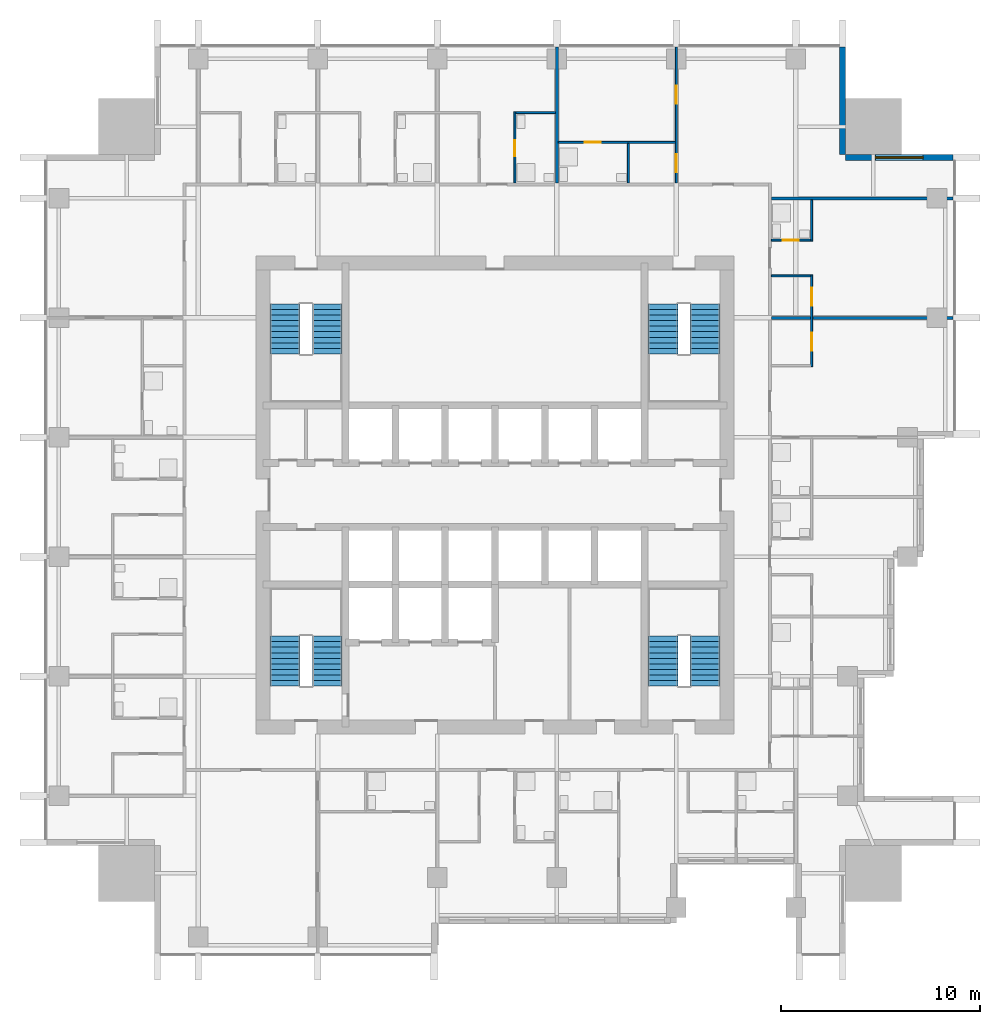
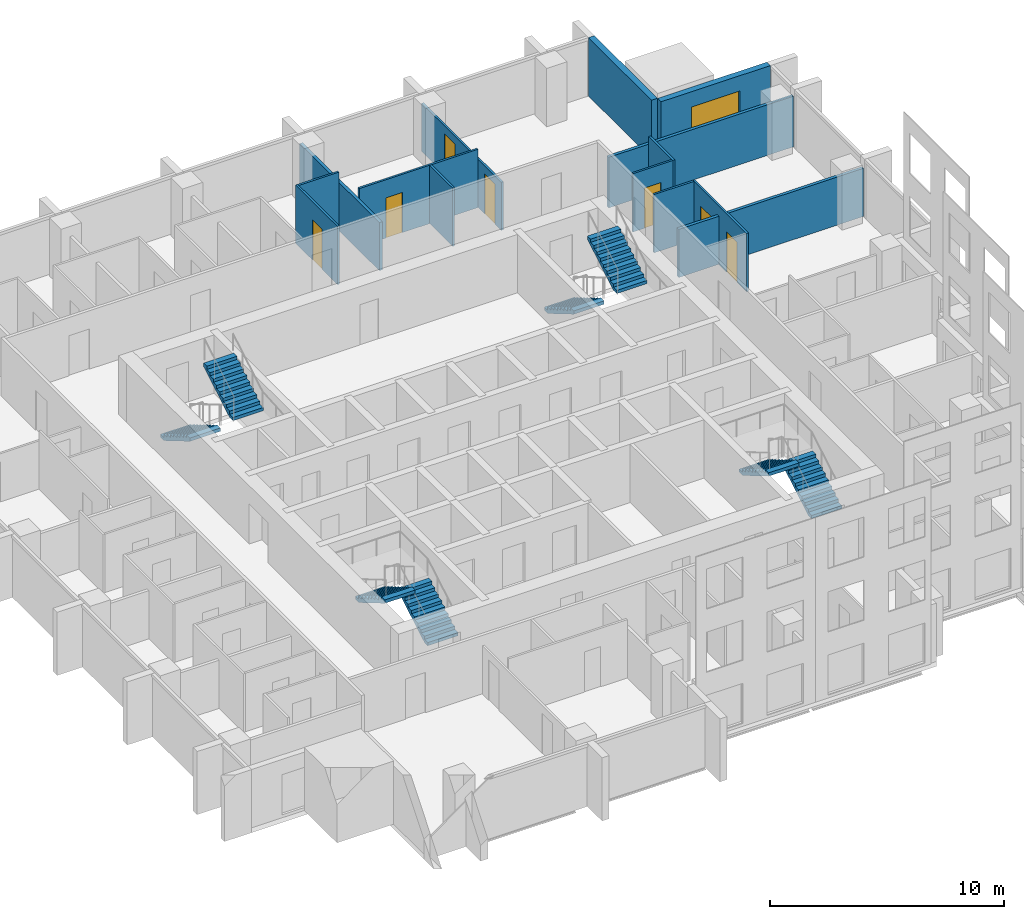
# One storey, part 8 of 11: 14 walls, 8 stair flights, 7 doors, 1 window, 8 openings, 4 elements without a shape of their own.
"""IFC4 building model written with IfcOpenShell, lengths in metres."""

from ifc_helpers import new_model, si_unit, direction, frame, frame_2d, origin, place, context, subcontext, project, spatial, polyline, rectangle, outline, extrude, material, layer, layer_set, type_object, element, fill, aggregate, save


model = new_model("IFC4")

# Units and contexts
model_context = context("Model", 3, precision=1e-05, world=origin(), true_north=direction((0.0, 1.0)))
body_context = subcontext(model_context, "Body", "Model", "MODEL_VIEW")
ifc_project = project(units=[si_unit("LENGTHUNIT", "METRE"), si_unit("AREAUNIT", "SQUARE_METRE"), si_unit("VOLUMEUNIT", "CUBIC_METRE"), si_unit("PLANEANGLEUNIT", "RADIAN"), si_unit("MASSUNIT", "GRAM", prefix="KILO")], contexts=[model_context])

# Site, building, storey
site_placement = place(None, origin())
site = spatial("IfcSite", under=ifc_project, at=site_placement, CompositionType="ELEMENT")
building_placement = place(site_placement, origin())
building = spatial("IfcBuilding", under=site, at=building_placement, Name="Amberfall Residences", CompositionType="ELEMENT")
storey_placement = place(building_placement, frame((0.0, 0.0, 154.89990234375)))
storey = spatial("IfcBuildingStorey", under=building, at=storey_placement, Name="L41", CompositionType="ELEMENT", Elevation=154.89990234375)

# Wall, opening, window
ifc_material_1 = material(Name="Pale stone cladding on insulated backing", Category="masonry")
ifc_layer_1 = layer(ifc_material_1, 0.300048828125)
ifc_layer_set_1 = layer_set([ifc_layer_1], Name="Bronze clad wall 300")
wall_type_1 = type_object("IfcWallType", Name="Bronze clad wall 300", PredefinedType="SOLIDWALL", material=ifc_layer_set_1)
wall_1_placement = place(storey_placement, frame((97.5, 62.449951171875, 0.0), z_axis=(0.0, 0.0, 1.0), x_axis=(-1.0, 0.0, 0.0)))
wall_1 = element("IfcWall", 1, at=wall_1_placement, inside=storey, type_object=wall_type_1, Name="External wall L41 NE", PredefinedType="SOLIDWALL", context=body_context, shape_type="SweptSolid", body=[
    extrude(rectangle(XDim=5.39990234375, YDim=0.300048828125, at=frame_2d((2.699951171875, 0.0))), origin(), (0.0, 0.0, 1.0), 3.050048828125),
])
opening_1_placement = place(wall_1_placement, frame((1.5, 0.0, 0.14990234375)))
opening_1 = element("IfcOpeningElement", 2, at=opening_1_placement, cuts=wall_1, Name="Opening WN5", PredefinedType="OPENING", context=body_context, shape_type="SweptSolid", body=[
    extrude(rectangle(XDim=2.39990234375, YDim=2.10009765625, at=frame_2d((1.199951171875, 1.050048828125))), frame((0.0, 0.159912109375, 0.0), z_axis=(0.0, -1.0, 0.0), x_axis=(1.0, 0.0, 0.0)), (0.0, 0.0, 1.0), 0.320068359375),
])
ifc_material_2 = material(Name="Bronze aluminium framed glazing", Category="aluminium")
window_type = type_object("IfcWindowType", Name="Glazed opening 2400 x 2100 bronze", PartitioningType="DOUBLE_PANEL_VERTICAL", PredefinedType="WINDOW", material=ifc_material_2)
window_placement = place(opening_1_placement, origin())
window = element("IfcWindow", 3, at=window_placement, inside=storey, type_object=window_type, Name="Window L41 NE", OverallHeight=2.10009765625, OverallWidth=2.39990234375, PartitioningType="DOUBLE_PANEL_VERTICAL", PredefinedType="WINDOW", context=body_context, shape_type="SweptSolid", body=[
    extrude(rectangle(XDim=2.39990234375, YDim=2.10009765625, at=frame_2d((1.199951171875, 1.050048828125))), frame((0.0, 0.030029296875, 0.0), z_axis=(0.0, -1.0, 0.0), x_axis=(1.0, 0.0, 0.0)), (0.0, 0.0, 1.0), 0.06005859375),
])
fill(opening_1, window)

# Wall
wall_2_placement = place(storey_placement, frame((91.949951171875, 62.60009765625, 0.0), z_axis=(0.0, 0.0, 1.0), x_axis=(0.0, 1.0, 0.0)))
element("IfcWall", 4, at=wall_2_placement, inside=storey, type_object=wall_type_1, Name="External wall L41 NE", PredefinedType="SOLIDWALL", context=body_context, shape_type="SweptSolid", body=[
    extrude(rectangle(XDim=5.39990234375, YDim=0.300048828125, at=frame_2d((2.699951171875, 0.0))), origin(), (0.0, 0.0, 1.0), 3.050048828125),
])

# Wall, opening, door
ifc_material_3 = material(Name="Gypsum board on metal stud")
ifc_layer_2 = layer(ifc_material_3, 0.10009765625)
ifc_layer_set_2 = layer_set([ifc_layer_2], Name="Flat partition 100")
wall_type_2 = type_object("IfcWallType", Name="Flat partition 100", PredefinedType="PARTITIONING", material=ifc_layer_set_2)
wall_3_placement = place(storey_placement, frame((75.5, 64.75, 0.0), z_axis=(0.0, 0.0, 1.0), x_axis=(0.0, -1.0, 0.0)))
wall_3 = element("IfcWall", 5, at=wall_3_placement, inside=storey, type_object=wall_type_2, Name="Partition 015", PredefinedType="PARTITIONING", context=body_context, shape_type="SweptSolid", body=[
    extrude(rectangle(XDim=3.574951171875, YDim=0.10009765625, at=frame_2d((1.78759765625, 0.0))), origin(), (0.0, 0.0, 1.0), 3.050048828125),
])
opening_2_placement = place(wall_3_placement, frame((1.449951171875, 0.0, 0.0)))
opening_2 = element("IfcOpeningElement", 6, at=opening_2_placement, cuts=wall_3, Name="Opening D42", PredefinedType="OPENING", context=body_context, shape_type="SweptSolid", body=[
    extrude(rectangle(XDim=0.800048828125, YDim=2.10009765625, at=frame_2d((0.39990234375, 1.050048828125))), frame((0.0, 0.06005859375, 0.0), z_axis=(0.0, -1.0, 0.0), x_axis=(1.0, 0.0, 0.0)), (0.0, 0.0, 1.0), 0.1201171875),
])
ifc_material_4 = material(Name="Timber", Category="wood")
door_type_1 = type_object("IfcDoorType", Name="Bathroom door 800 x 2100", OperationType="SINGLE_SWING_LEFT", PredefinedType="DOOR", material=ifc_material_4)
door_1_placement = place(opening_2_placement, origin())
door_1 = element("IfcDoor", 7, at=door_1_placement, inside=storey, type_object=door_type_1, Name="Door 4110 bath1", OperationType="SINGLE_SWING_LEFT", OverallHeight=2.10009765625, OverallWidth=0.800048828125, PredefinedType="DOOR", context=body_context, shape_type="SweptSolid", body=[
    extrude(rectangle(XDim=0.800048828125, YDim=2.10009765625, at=frame_2d((0.39990234375, 1.050048828125))), frame((0.0, 0.02490234375, 0.0), z_axis=(0.0, -1.0, 0.0), x_axis=(1.0, 0.0, 0.0)), (0.0, 0.0, 1.0), 0.050048828125),
])
fill(opening_2, door_1)

# Wall
wall_4_placement = place(storey_placement, frame((81.199951171875, 61.175048828125, 0.0), z_axis=(0.0, 0.0, 1.0), x_axis=(0.0, 1.0, 0.0)))
element("IfcWall", 8, at=wall_4_placement, inside=storey, type_object=wall_type_2, Name="Partition 017", PredefinedType="PARTITIONING", context=body_context, shape_type="SweptSolid", body=[
    extrude(rectangle(XDim=1.974853515625, YDim=0.10009765625, at=frame_2d((0.9873046875, 0.0))), origin(), (0.0, 0.0, 1.0), 3.050048828125),
])

# Wall, openings, doors
wall_5_placement = place(storey_placement, frame((83.60009765625, 61.175048828125, 0.0), z_axis=(0.0, 0.0, 1.0), x_axis=(0.0, 1.0, 0.0)))
wall_5 = element("IfcWall", 9, at=wall_5_placement, inside=storey, type_object=wall_type_2, Name="Partition 018", PredefinedType="PARTITIONING", context=body_context, shape_type="SweptSolid", body=[
    extrude(rectangle(XDim=6.824951171875, YDim=0.10009765625, at=frame_2d((3.41259765625, 0.0))), origin(), (0.0, 0.0, 1.0), 2.51611328125),
])
opening_3_placement = place(wall_5_placement, frame((0.52490234375, 0.0, 0.0)))
opening_3 = element("IfcOpeningElement", 10, at=opening_3_placement, cuts=wall_5, Name="Opening D41", PredefinedType="OPENING", context=body_context, shape_type="SweptSolid", body=[
    extrude(rectangle(XDim=0.89990234375, YDim=2.10009765625, at=frame_2d((0.449951171875, 1.050048828125))), frame((0.0, 0.06005859375, 0.0), z_axis=(0.0, -1.0, 0.0), x_axis=(1.0, 0.0, 0.0)), (0.0, 0.0, 1.0), 0.1201171875),
])
opening_4_placement = place(wall_5_placement, frame((3.97509765625, 0.0, 0.0)))
opening_4 = element("IfcOpeningElement", 11, at=opening_4_placement, cuts=wall_5, Name="Opening D41", PredefinedType="OPENING", context=body_context, shape_type="SweptSolid", body=[
    extrude(rectangle(XDim=0.89990234375, YDim=2.10009765625, at=frame_2d((0.449951171875, 1.050048828125))), frame((0.0, 0.06005859375, 0.0), z_axis=(0.0, -1.0, 0.0), x_axis=(1.0, 0.0, 0.0)), (0.0, 0.0, 1.0), 0.1201171875),
])
door_type_2 = type_object("IfcDoorType", Name="Internal door 900 x 2100", OperationType="SINGLE_SWING_LEFT", PredefinedType="DOOR", material=ifc_material_4)
door_2_placement = place(opening_3_placement, origin())
door_2 = element("IfcDoor", 12, at=door_2_placement, inside=storey, type_object=door_type_2, Name="Door 4111 kitchen", OperationType="SINGLE_SWING_LEFT", OverallHeight=2.10009765625, OverallWidth=0.89990234375, PredefinedType="DOOR", context=body_context, shape_type="SweptSolid", body=[
    extrude(rectangle(XDim=0.89990234375, YDim=2.10009765625, at=frame_2d((0.449951171875, 1.050048828125))), frame((0.0, 0.02490234375, 0.0), z_axis=(0.0, -1.0, 0.0), x_axis=(1.0, 0.0, 0.0)), (0.0, 0.0, 1.0), 0.050048828125),
])
fill(opening_3, door_2)
door_3_placement = place(opening_4_placement, origin())
door_3 = element("IfcDoor", 13, at=door_3_placement, inside=storey, type_object=door_type_2, Name="Door 4111 bedroom1", OperationType="SINGLE_SWING_LEFT", OverallHeight=2.10009765625, OverallWidth=0.89990234375, PredefinedType="DOOR", context=body_context, shape_type="SweptSolid", body=[
    extrude(rectangle(XDim=0.89990234375, YDim=2.10009765625, at=frame_2d((0.449951171875, 1.050048828125))), frame((0.0, 0.02490234375, 0.0), z_axis=(0.0, -1.0, 0.0), x_axis=(1.0, 0.0, 0.0)), (0.0, 0.0, 1.0), 0.050048828125),
])
fill(opening_4, door_3)

wall_6_placement = place(storey_placement, frame((90.39990234375, 51.949951171875, 0.0), z_axis=(0.0, 0.0, 1.0), x_axis=(0.0, 1.0, 0.0)))
wall_6 = element("IfcWall", 14, at=wall_6_placement, inside=storey, type_object=wall_type_2, Name="Partition 023", PredefinedType="PARTITIONING", context=body_context, shape_type="SweptSolid", body=[
    extrude(rectangle(XDim=4.60009765625, YDim=0.10009765625, at=frame_2d((2.300048828125, 0.0))), origin(), (0.0, 0.0, 1.0), 3.050048828125),
])
opening_5_placement = place(wall_6_placement, frame((0.800048828125, 0.0, 0.0)))
opening_5 = element("IfcOpeningElement", 15, at=opening_5_placement, cuts=wall_6, Name="Opening D41", PredefinedType="OPENING", context=body_context, shape_type="SweptSolid", body=[
    extrude(rectangle(XDim=0.89990234375, YDim=2.10009765625, at=frame_2d((0.449951171875, 1.050048828125))), frame((0.0, 0.06005859375, 0.0), z_axis=(0.0, -1.0, 0.0), x_axis=(1.0, 0.0, 0.0)), (0.0, 0.0, 1.0), 0.1201171875),
])
opening_6_placement = place(wall_6_placement, frame((3.050048828125, 0.0, 0.0)))
opening_6 = element("IfcOpeningElement", 16, at=opening_6_placement, cuts=wall_6, Name="Opening D41", PredefinedType="OPENING", context=body_context, shape_type="SweptSolid", body=[
    extrude(rectangle(XDim=0.89990234375, YDim=2.10009765625, at=frame_2d((0.449951171875, 1.050048828125))), frame((0.0, 0.06005859375, 0.0), z_axis=(0.0, -1.0, 0.0), x_axis=(1.0, 0.0, 0.0)), (0.0, 0.0, 1.0), 0.1201171875),
])
door_4_placement = place(opening_5_placement, origin())
door_4 = element("IfcDoor", 17, at=door_4_placement, inside=storey, type_object=door_type_2, Name="Door 4106 kitchen", OperationType="SINGLE_SWING_LEFT", OverallHeight=2.10009765625, OverallWidth=0.89990234375, PredefinedType="DOOR", context=body_context, shape_type="SweptSolid", body=[
    extrude(rectangle(XDim=0.89990234375, YDim=2.10009765625, at=frame_2d((0.449951171875, 1.050048828125))), frame((0.0, 0.02490234375, 0.0), z_axis=(0.0, -1.0, 0.0), x_axis=(1.0, 0.0, 0.0)), (0.0, 0.0, 1.0), 0.050048828125),
])
fill(opening_5, door_4)
door_5_placement = place(opening_6_placement, origin())
door_5 = element("IfcDoor", 18, at=door_5_placement, inside=storey, type_object=door_type_2, Name="Door 4107 kitchen", OperationType="SINGLE_SWING_LEFT", OverallHeight=2.10009765625, OverallWidth=0.89990234375, PredefinedType="DOOR", context=body_context, shape_type="SweptSolid", body=[
    extrude(rectangle(XDim=0.89990234375, YDim=2.10009765625, at=frame_2d((0.449951171875, 1.050048828125))), frame((0.0, 0.02490234375, 0.0), z_axis=(0.0, -1.0, 0.0), x_axis=(1.0, 0.0, 0.0)), (0.0, 0.0, 1.0), 0.050048828125),
])
fill(opening_6, door_5)

# Walls
wall_7_placement = place(storey_placement, frame((90.39990234375, 58.25, 0.0), z_axis=(0.0, 0.0, 1.0), x_axis=(0.0, 1.0, 0.0)))
element("IfcWall", 19, at=wall_7_placement, inside=storey, type_object=wall_type_2, Name="Partition 024", PredefinedType="PARTITIONING", context=body_context, shape_type="SweptSolid", body=[
    extrude(rectangle(XDim=2.074951171875, YDim=0.10009765625, at=frame_2d((1.03759765625, 0.0))), origin(), (0.0, 0.0, 1.0), 3.050048828125),
])
wall_8_placement = place(storey_placement, frame((75.550048828125, 64.699951171875, 0.0), z_axis=(0.0, 0.0, 1.0), x_axis=(1.0, 0.0, 0.0)))
element("IfcWall", 20, at=wall_8_placement, inside=storey, type_object=wall_type_2, Name="Partition 028", PredefinedType="PARTITIONING", context=body_context, shape_type="SweptSolid", body=[
    extrude(rectangle(XDim=1.974853515625, YDim=0.10009765625, at=frame_2d((0.9873046875, 0.0))), origin(), (0.0, 0.0, 1.0), 3.050048828125),
])

# Wall, opening, door
wall_9_placement = place(storey_placement, frame((83.550048828125, 63.199951171875, 0.0), z_axis=(0.0, 0.0, 1.0), x_axis=(-1.0, 0.0, 0.0)))
wall_9 = element("IfcWall", 21, at=wall_9_placement, inside=storey, type_object=wall_type_2, Name="Partition 029", PredefinedType="PARTITIONING", context=body_context, shape_type="SweptSolid", body=[
    extrude(rectangle(XDim=5.875, YDim=0.10009765625, at=frame_2d((2.9375, 0.0))), origin(), (0.0, 0.0, 1.0), 3.050048828125),
])
opening_7_placement = place(wall_9_placement, frame((3.75, 0.0, 0.0)))
opening_7 = element("IfcOpeningElement", 22, at=opening_7_placement, cuts=wall_9, Name="Opening D42", PredefinedType="OPENING", context=body_context, shape_type="SweptSolid", body=[
    extrude(rectangle(XDim=0.800048828125, YDim=2.10009765625, at=frame_2d((0.39990234375, 1.050048828125))), frame((0.0, 0.06005859375, 0.0), z_axis=(0.0, -1.0, 0.0), x_axis=(1.0, 0.0, 0.0)), (0.0, 0.0, 1.0), 0.1201171875),
])
door_6_placement = place(opening_7_placement, origin())
door_6 = element("IfcDoor", 23, at=door_6_placement, inside=storey, type_object=door_type_1, Name="Door 4111 bath1", OperationType="SINGLE_SWING_LEFT", OverallHeight=2.10009765625, OverallWidth=0.800048828125, PredefinedType="DOOR", context=body_context, shape_type="SweptSolid", body=[
    extrude(rectangle(XDim=0.800048828125, YDim=2.10009765625, at=frame_2d((0.39990234375, 1.050048828125))), frame((0.0, 0.02490234375, 0.0), z_axis=(0.0, -1.0, 0.0), x_axis=(1.0, 0.0, 0.0)), (0.0, 0.0, 1.0), 0.050048828125),
])
fill(opening_7, door_6)

wall_10_placement = place(storey_placement, frame((88.375, 58.300048828125, 0.0), z_axis=(0.0, 0.0, 1.0), x_axis=(1.0, 0.0, 0.0)))
wall_10 = element("IfcWall", 24, at=wall_10_placement, inside=storey, type_object=wall_type_2, Name="Partition 030", PredefinedType="PARTITIONING", context=body_context, shape_type="SweptSolid", body=[
    extrude(rectangle(XDim=1.97509765625, YDim=0.10009765625, at=frame_2d((0.987548828125, 0.0))), origin(), (0.0, 0.0, 1.0), 3.050048828125),
])
opening_8_placement = place(wall_10_placement, frame((0.574951171875, 0.0, 0.0)))
opening_8 = element("IfcOpeningElement", 25, at=opening_8_placement, cuts=wall_10, Name="Opening D42", PredefinedType="OPENING", context=body_context, shape_type="SweptSolid", body=[
    extrude(rectangle(XDim=0.800048828125, YDim=2.10009765625, at=frame_2d((0.39990234375, 1.050048828125))), frame((0.0, 0.06005859375, 0.0), z_axis=(0.0, -1.0, 0.0), x_axis=(1.0, 0.0, 0.0)), (0.0, 0.0, 1.0), 0.1201171875),
])
door_7_placement = place(opening_8_placement, origin())
door_7 = element("IfcDoor", 26, at=door_7_placement, inside=storey, type_object=door_type_1, Name="Door 4107 bath1", OperationType="SINGLE_SWING_LEFT", OverallHeight=2.10009765625, OverallWidth=0.800048828125, PredefinedType="DOOR", context=body_context, shape_type="SweptSolid", body=[
    extrude(rectangle(XDim=0.800048828125, YDim=2.10009765625, at=frame_2d((0.39990234375, 1.050048828125))), frame((0.0, 0.02490234375, 0.0), z_axis=(0.0, -1.0, 0.0), x_axis=(1.0, 0.0, 0.0)), (0.0, 0.0, 1.0), 0.050048828125),
])
fill(opening_8, door_7)

# Walls
wall_11_placement = place(storey_placement, frame((88.375, 56.5, 0.0), z_axis=(0.0, 0.0, 1.0), x_axis=(1.0, 0.0, 0.0)))
element("IfcWall", 27, at=wall_11_placement, inside=storey, type_object=wall_type_2, Name="Partition 031", PredefinedType="PARTITIONING", context=body_context, shape_type="SweptSolid", body=[
    extrude(rectangle(XDim=1.97509765625, YDim=0.10009765625, at=frame_2d((0.987548828125, 0.0))), origin(), (0.0, 0.0, 1.0), 3.050048828125),
])
ifc_material_5 = material(Name="Blockwork, plastered", Category="masonry")
ifc_layer_3 = layer(ifc_material_5, 0.14990234375)
ifc_layer_set_3 = layer_set([ifc_layer_3], Name="Flat separating wall 150")
wall_type_3 = type_object("IfcWallType", Name="Flat separating wall 150", PredefinedType="PARTITIONING", material=ifc_layer_set_3)
wall_12_placement = place(storey_placement, frame((77.60009765625, 61.175048828125, 0.0), z_axis=(0.0, 0.0, 1.0), x_axis=(0.0, 1.0, 0.0)))
element("IfcWall", 28, at=wall_12_placement, inside=storey, type_object=wall_type_3, Name="Separating wall 057", PredefinedType="PARTITIONING", context=body_context, shape_type="SweptSolid", body=[
    extrude(rectangle(XDim=6.824951171875, YDim=0.14990234375, at=frame_2d((3.41259765625, 0.0))), origin(), (0.0, 0.0, 1.0), 2.51611328125),
])
wall_13_placement = place(storey_placement, frame((88.375, 60.39990234375, 0.0), z_axis=(0.0, 0.0, 1.0), x_axis=(1.0, 0.0, 0.0)))
element("IfcWall", 29, at=wall_13_placement, inside=storey, type_object=wall_type_3, Name="Separating wall 061", PredefinedType="PARTITIONING", context=body_context, shape_type="SweptSolid", body=[
    extrude(rectangle(XDim=9.125, YDim=0.14990234375, at=frame_2d((4.5625, 0.0))), origin(), (0.0, 0.0, 1.0), 2.647216796875),
])
wall_14_placement = place(storey_placement, frame((88.375, 54.39990234375, 0.0), z_axis=(0.0, 0.0, 1.0), x_axis=(1.0, 0.0, 0.0)))
element("IfcWall", 30, at=wall_14_placement, inside=storey, type_object=wall_type_3, Name="Separating wall 062", PredefinedType="PARTITIONING", context=body_context, shape_type="SweptSolid", body=[
    extrude(rectangle(XDim=9.125, YDim=0.14990234375, at=frame_2d((4.5625, 0.0))), origin(), (0.0, 0.0, 1.0), 2.51611328125),
])

# Stair, stair flights
ifc_material_6 = material(Name="Concrete C40", Category="concrete")
stair_type = type_object("IfcStairType", Name="Exit stair 20 risers 165.0 mm", PredefinedType="HALF_TURN_STAIR", material=ifc_material_6)
stair_1_placement = place(storey_placement, origin())
stair_1 = element("IfcStair", 31, at=stair_1_placement, inside=storey, type_object=stair_type, Name="L41 Exit stair 1", PredefinedType="HALF_TURN_STAIR")
stair_flight_type = type_object("IfcStairFlightType", Name="Stair flight 10 risers 165.0 mm", PredefinedType="STRAIGHT", material=ifc_material_6)
stair_flight_1_placement = place(storey_placement, frame((66.074951171875, 35.89990234375, 0.0), z_axis=(0.0, 0.0, 1.0), x_axis=(0.0, 1.0, 0.0)))
stair_flight_1 = element("IfcStairFlight", 32, at=stair_flight_1_placement, type_object=stair_flight_type, Name="ST3 flight 1", NumberOfRisers=10, NumberOfTreads=9, PredefinedType="STRAIGHT", RiserHeight=0.165, TreadLength=0.28, context=body_context, shape_type="SweptSolid", body=[
    extrude(outline(polyline([(0.0, 0.0), (0.0, 0.1650390625), (0.280029296875, 0.1650390625), (0.280029296875, 0.330078125), (0.56005859375, 0.330078125), (0.56005859375, 0.4951171875), (0.840087890625, 0.4951171875), (0.840087890625, 0.659912109375), (1.1201171875, 0.659912109375), (1.1201171875, 0.824951171875), (1.39990234375, 0.824951171875), (1.39990234375, 0.989990234375), (1.679931640625, 0.989990234375), (1.679931640625, 1.155029296875), (1.9599609375, 1.155029296875), (1.9599609375, 1.320068359375), (2.239990234375, 1.320068359375), (2.239990234375, 1.485107421875), (2.52001953125, 1.485107421875), (2.52001953125, 1.64990234375), (2.52001953125, 1.31103515625), (0.295166015625, 0.0), (0.0, 0.0)])), frame((0.0, 0.75, 0.0), z_axis=(0.0, -1.0, 0.0), x_axis=(1.0, 0.0, 0.0)), (0.0, 0.0, 1.0), 1.5),
])
stair_flight_2_placement = place(storey_placement, frame((63.949951171875, 38.419921875, 1.650146484375), z_axis=(0.0, 0.0, 1.0), x_axis=(0.0, -1.0, 0.0)))
stair_flight_2 = element("IfcStairFlight", 33, at=stair_flight_2_placement, type_object=stair_flight_type, Name="ST3 flight 2", NumberOfRisers=10, NumberOfTreads=9, PredefinedType="STRAIGHT", RiserHeight=0.165, TreadLength=0.28, context=body_context, shape_type="SweptSolid", body=[
    extrude(outline(polyline([(0.0, 0.0), (0.0, 0.1650390625), (0.280029296875, 0.1650390625), (0.280029296875, 0.330078125), (0.56005859375, 0.330078125), (0.56005859375, 0.4951171875), (0.840087890625, 0.4951171875), (0.840087890625, 0.659912109375), (1.1201171875, 0.659912109375), (1.1201171875, 0.824951171875), (1.39990234375, 0.824951171875), (1.39990234375, 0.989990234375), (1.679931640625, 0.989990234375), (1.679931640625, 1.155029296875), (1.9599609375, 1.155029296875), (1.9599609375, 1.320068359375), (2.239990234375, 1.320068359375), (2.239990234375, 1.485107421875), (2.52001953125, 1.485107421875), (2.52001953125, 1.64990234375), (2.52001953125, 1.31103515625), (0.295166015625, 0.0), (0.0, 0.0)])), frame((0.0, 0.75, 0.0), z_axis=(0.0, -1.0, 0.0), x_axis=(1.0, 0.0, 0.0)), (0.0, 0.0, 1.0), 1.5),
])
aggregate(stair_1, [stair_flight_1, stair_flight_2])

stair_2_placement = place(storey_placement, origin())
stair_2 = element("IfcStair", 34, at=stair_2_placement, inside=storey, type_object=stair_type, Name="L41 Exit stair 2", PredefinedType="HALF_TURN_STAIR")
stair_flight_3_placement = place(storey_placement, frame((85.050048828125, 35.89990234375, 0.0), z_axis=(0.0, 0.0, 1.0), x_axis=(0.0, 1.0, 0.0)))
stair_flight_3 = element("IfcStairFlight", 35, at=stair_flight_3_placement, type_object=stair_flight_type, Name="ST3 flight 1", NumberOfRisers=10, NumberOfTreads=9, PredefinedType="STRAIGHT", RiserHeight=0.165, TreadLength=0.28, context=body_context, shape_type="SweptSolid", body=[
    extrude(outline(polyline([(0.0, 0.0), (0.0, 0.1650390625), (0.280029296875, 0.1650390625), (0.280029296875, 0.330078125), (0.56005859375, 0.330078125), (0.56005859375, 0.4951171875), (0.840087890625, 0.4951171875), (0.840087890625, 0.659912109375), (1.1201171875, 0.659912109375), (1.1201171875, 0.824951171875), (1.39990234375, 0.824951171875), (1.39990234375, 0.989990234375), (1.679931640625, 0.989990234375), (1.679931640625, 1.155029296875), (1.9599609375, 1.155029296875), (1.9599609375, 1.320068359375), (2.239990234375, 1.320068359375), (2.239990234375, 1.485107421875), (2.52001953125, 1.485107421875), (2.52001953125, 1.64990234375), (2.52001953125, 1.31103515625), (0.295166015625, 0.0), (0.0, 0.0)])), frame((0.0, 0.75, 0.0), z_axis=(0.0, -1.0, 0.0), x_axis=(1.0, 0.0, 0.0)), (0.0, 0.0, 1.0), 1.5),
])
stair_flight_4_placement = place(storey_placement, frame((82.925048828125, 38.419921875, 1.650146484375), z_axis=(0.0, 0.0, 1.0), x_axis=(0.0, -1.0, 0.0)))
stair_flight_4 = element("IfcStairFlight", 36, at=stair_flight_4_placement, type_object=stair_flight_type, Name="ST3 flight 2", NumberOfRisers=10, NumberOfTreads=9, PredefinedType="STRAIGHT", RiserHeight=0.165, TreadLength=0.28, context=body_context, shape_type="SweptSolid", body=[
    extrude(outline(polyline([(0.0, 0.0), (0.0, 0.1650390625), (0.280029296875, 0.1650390625), (0.280029296875, 0.330078125), (0.56005859375, 0.330078125), (0.56005859375, 0.4951171875), (0.840087890625, 0.4951171875), (0.840087890625, 0.659912109375), (1.1201171875, 0.659912109375), (1.1201171875, 0.824951171875), (1.39990234375, 0.824951171875), (1.39990234375, 0.989990234375), (1.679931640625, 0.989990234375), (1.679931640625, 1.155029296875), (1.9599609375, 1.155029296875), (1.9599609375, 1.320068359375), (2.239990234375, 1.320068359375), (2.239990234375, 1.485107421875), (2.52001953125, 1.485107421875), (2.52001953125, 1.64990234375), (2.52001953125, 1.31103515625), (0.295166015625, 0.0), (0.0, 0.0)])), frame((0.0, 0.75, 0.0), z_axis=(0.0, -1.0, 0.0), x_axis=(1.0, 0.0, 0.0)), (0.0, 0.0, 1.0), 1.5),
])
aggregate(stair_2, [stair_flight_3, stair_flight_4])

stair_3_placement = place(storey_placement, origin())
stair_3 = element("IfcStair", 37, at=stair_3_placement, inside=storey, type_object=stair_type, Name="L41 Exit stair 3", PredefinedType="HALF_TURN_STAIR")
stair_flight_5_placement = place(storey_placement, frame((82.925048828125, 55.10009765625, 0.0), z_axis=(0.0, 0.0, 1.0), x_axis=(0.0, -1.0, 0.0)))
stair_flight_5 = element("IfcStairFlight", 38, at=stair_flight_5_placement, type_object=stair_flight_type, Name="ST3 flight 1", NumberOfRisers=10, NumberOfTreads=9, PredefinedType="STRAIGHT", RiserHeight=0.165, TreadLength=0.28, context=body_context, shape_type="SweptSolid", body=[
    extrude(outline(polyline([(0.0, 0.0), (0.0, 0.1650390625), (0.280029296875, 0.1650390625), (0.280029296875, 0.330078125), (0.56005859375, 0.330078125), (0.56005859375, 0.4951171875), (0.840087890625, 0.4951171875), (0.840087890625, 0.659912109375), (1.1201171875, 0.659912109375), (1.1201171875, 0.824951171875), (1.39990234375, 0.824951171875), (1.39990234375, 0.989990234375), (1.679931640625, 0.989990234375), (1.679931640625, 1.155029296875), (1.9599609375, 1.155029296875), (1.9599609375, 1.320068359375), (2.239990234375, 1.320068359375), (2.239990234375, 1.485107421875), (2.52001953125, 1.485107421875), (2.52001953125, 1.64990234375), (2.52001953125, 1.31103515625), (0.295166015625, 0.0), (0.0, 0.0)])), frame((0.0, 0.75, 0.0), z_axis=(0.0, -1.0, 0.0), x_axis=(1.0, 0.0, 0.0)), (0.0, 0.0, 1.0), 1.5),
])
stair_flight_6_placement = place(storey_placement, frame((85.050048828125, 52.580078125, 1.650146484375), z_axis=(0.0, 0.0, 1.0), x_axis=(0.0, 1.0, 0.0)))
stair_flight_6 = element("IfcStairFlight", 39, at=stair_flight_6_placement, type_object=stair_flight_type, Name="ST3 flight 2", NumberOfRisers=10, NumberOfTreads=9, PredefinedType="STRAIGHT", RiserHeight=0.165, TreadLength=0.28, context=body_context, shape_type="SweptSolid", body=[
    extrude(outline(polyline([(0.0, 0.0), (0.0, 0.1650390625), (0.280029296875, 0.1650390625), (0.280029296875, 0.330078125), (0.56005859375, 0.330078125), (0.56005859375, 0.4951171875), (0.840087890625, 0.4951171875), (0.840087890625, 0.659912109375), (1.1201171875, 0.659912109375), (1.1201171875, 0.824951171875), (1.39990234375, 0.824951171875), (1.39990234375, 0.989990234375), (1.679931640625, 0.989990234375), (1.679931640625, 1.155029296875), (1.9599609375, 1.155029296875), (1.9599609375, 1.320068359375), (2.239990234375, 1.320068359375), (2.239990234375, 1.485107421875), (2.52001953125, 1.485107421875), (2.52001953125, 1.64990234375), (2.52001953125, 1.31103515625), (0.295166015625, 0.0), (0.0, 0.0)])), frame((0.0, 0.75, 0.0), z_axis=(0.0, -1.0, 0.0), x_axis=(1.0, 0.0, 0.0)), (0.0, 0.0, 1.0), 1.5),
])
aggregate(stair_3, [stair_flight_5, stair_flight_6])

stair_4_placement = place(storey_placement, origin())
stair_4 = element("IfcStair", 40, at=stair_4_placement, inside=storey, type_object=stair_type, Name="L41 Exit stair 4", PredefinedType="HALF_TURN_STAIR")
stair_flight_7_placement = place(storey_placement, frame((63.949951171875, 55.10009765625, 0.0), z_axis=(0.0, 0.0, 1.0), x_axis=(0.0, -1.0, 0.0)))
stair_flight_7 = element("IfcStairFlight", 41, at=stair_flight_7_placement, type_object=stair_flight_type, Name="ST3 flight 1", NumberOfRisers=10, NumberOfTreads=9, PredefinedType="STRAIGHT", RiserHeight=0.165, TreadLength=0.28, context=body_context, shape_type="SweptSolid", body=[
    extrude(outline(polyline([(0.0, 0.0), (0.0, 0.1650390625), (0.280029296875, 0.1650390625), (0.280029296875, 0.330078125), (0.56005859375, 0.330078125), (0.56005859375, 0.4951171875), (0.840087890625, 0.4951171875), (0.840087890625, 0.659912109375), (1.1201171875, 0.659912109375), (1.1201171875, 0.824951171875), (1.39990234375, 0.824951171875), (1.39990234375, 0.989990234375), (1.679931640625, 0.989990234375), (1.679931640625, 1.155029296875), (1.9599609375, 1.155029296875), (1.9599609375, 1.320068359375), (2.239990234375, 1.320068359375), (2.239990234375, 1.485107421875), (2.52001953125, 1.485107421875), (2.52001953125, 1.64990234375), (2.52001953125, 1.31103515625), (0.295166015625, 0.0), (0.0, 0.0)])), frame((0.0, 0.75, 0.0), z_axis=(0.0, -1.0, 0.0), x_axis=(1.0, 0.0, 0.0)), (0.0, 0.0, 1.0), 1.5),
])
stair_flight_8_placement = place(storey_placement, frame((66.074951171875, 52.580078125, 1.650146484375), z_axis=(0.0, 0.0, 1.0), x_axis=(0.0, 1.0, 0.0)))
stair_flight_8 = element("IfcStairFlight", 42, at=stair_flight_8_placement, type_object=stair_flight_type, Name="ST3 flight 2", NumberOfRisers=10, NumberOfTreads=9, PredefinedType="STRAIGHT", RiserHeight=0.165, TreadLength=0.28, context=body_context, shape_type="SweptSolid", body=[
    extrude(outline(polyline([(0.0, 0.0), (0.0, 0.1650390625), (0.280029296875, 0.1650390625), (0.280029296875, 0.330078125), (0.56005859375, 0.330078125), (0.56005859375, 0.4951171875), (0.840087890625, 0.4951171875), (0.840087890625, 0.659912109375), (1.1201171875, 0.659912109375), (1.1201171875, 0.824951171875), (1.39990234375, 0.824951171875), (1.39990234375, 0.989990234375), (1.679931640625, 0.989990234375), (1.679931640625, 1.155029296875), (1.9599609375, 1.155029296875), (1.9599609375, 1.320068359375), (2.239990234375, 1.320068359375), (2.239990234375, 1.485107421875), (2.52001953125, 1.485107421875), (2.52001953125, 1.64990234375), (2.52001953125, 1.31103515625), (0.295166015625, 0.0), (0.0, 0.0)])), frame((0.0, 0.75, 0.0), z_axis=(0.0, -1.0, 0.0), x_axis=(1.0, 0.0, 0.0)), (0.0, 0.0, 1.0), 1.5),
])
aggregate(stair_4, [stair_flight_7, stair_flight_8])

save(model, "model.ifc")
